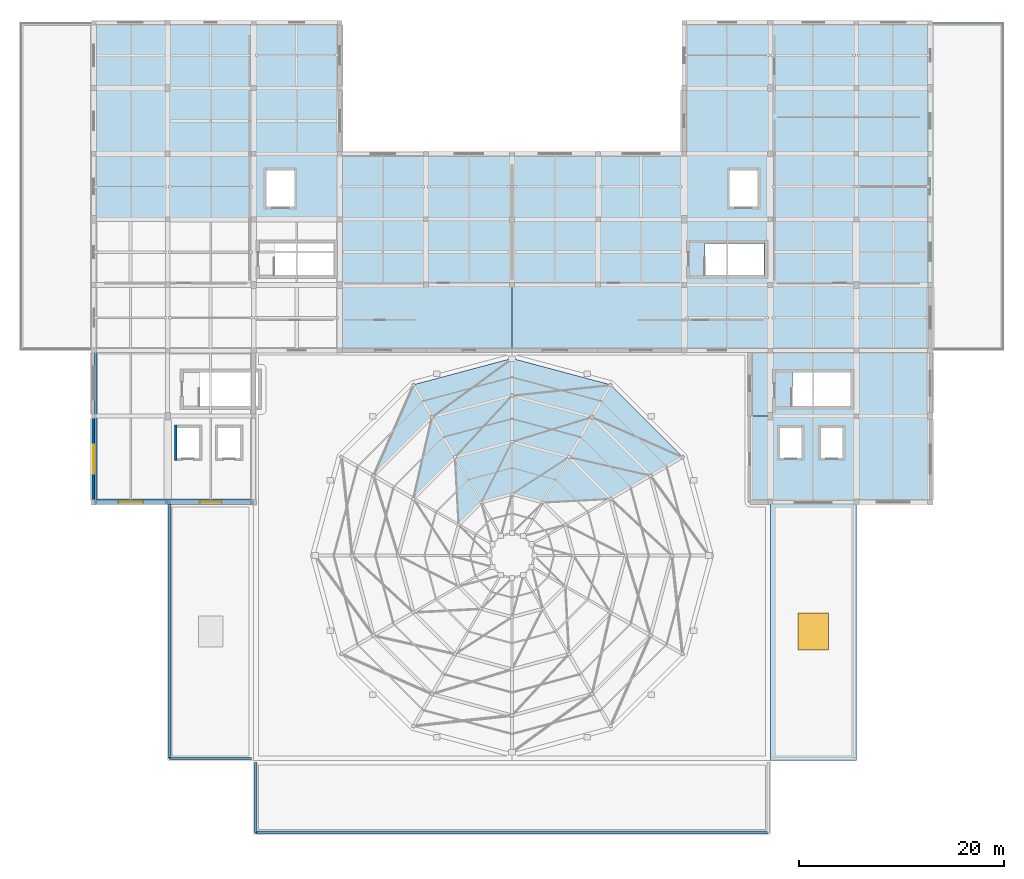
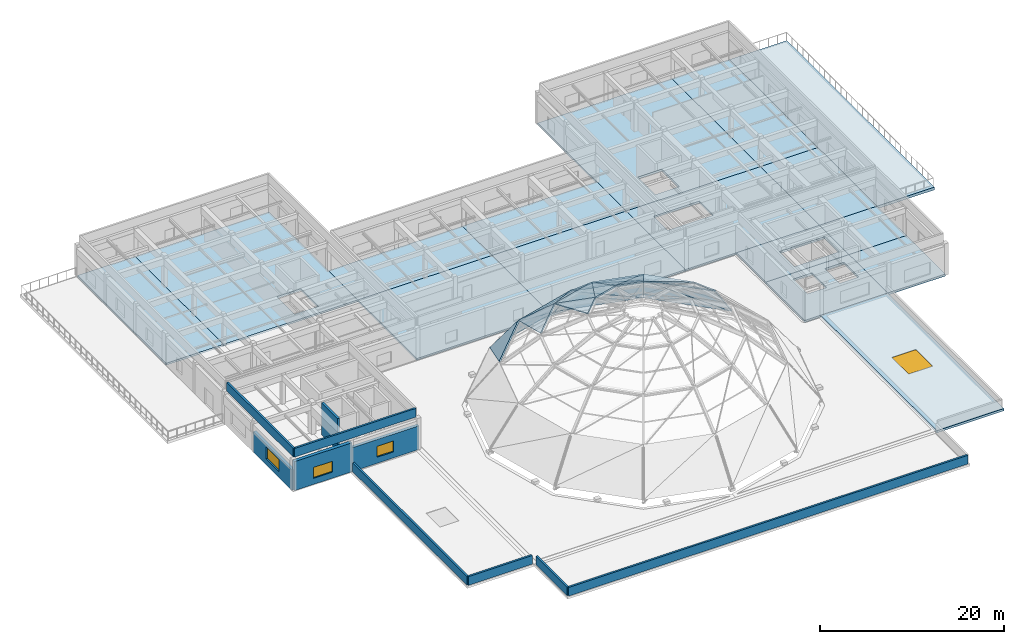
# One storey, part 10 of 18: 36 slabs, 10 walls, 4 windows, 4 openings.
"""IFC4 building model written with IfcOpenShell, lengths in metres."""

from ifc_helpers import new_model, si_unit, direction, frame, frame_2d, origin, origin_2d, place, context, subcontext, project, spatial, polyline, rectangle, outline, extrude, material, layer, layer_set, type_object, element, fill, save


model = new_model("IFC4")

# Units and contexts
model_context = context("Model", 3, precision=1e-05, world=origin(), true_north=direction((0.0, 1.0)))
body_context = subcontext(model_context, "Body", "Model", "MODEL_VIEW")
ifc_project = project(units=[si_unit("LENGTHUNIT", "METRE"), si_unit("AREAUNIT", "SQUARE_METRE"), si_unit("VOLUMEUNIT", "CUBIC_METRE"), si_unit("PLANEANGLEUNIT", "RADIAN"), si_unit("MASSUNIT", "GRAM", prefix="KILO")], contexts=[model_context])

# Site, building, storey
site_placement = place(None, origin())
site = spatial("IfcSite", under=ifc_project, at=site_placement, CompositionType="ELEMENT")
building_placement = place(site_placement, origin())
building = spatial("IfcBuilding", under=site, at=building_placement, Name="Korsvaeld Concert Hall", CompositionType="ELEMENT")
storey_placement = place(building_placement, frame((0.0, 0.0, 17.39990234375)))
storey = spatial("IfcBuildingStorey", under=building, at=storey_placement, Name="L04", CompositionType="ELEMENT", Elevation=17.39990234375)

# Slabs
ifc_material_1 = material(Name="Precast concrete C40/50", Category="concrete")
ifc_layer_1 = layer(ifc_material_1, 0.159912109375)
ifc_layer_set_1 = layer_set([ifc_layer_1], Name="Precast concrete C40/50")
slab_type_1 = type_object("IfcSlabType", Name="SLB-DOME-160", PredefinedType="ROOF", material=ifc_layer_set_1)
slab_1_placement = place(storey_placement, frame((100.662353515625, 72.820068359375, 0.989990234375), z_axis=(0.574666971576, 0.574666971576, 0.58267979505), x_axis=(-0.707106781187, 0.707106781187, 0.0)))
element("IfcSlab", 1, at=slab_1_placement, inside=storey, type_object=slab_type_1, Name="Main Hall dome copper roof facet T1.B02A", PredefinedType="ROOF", context=body_context, shape_type="SweptSolid", body=[
    extrude(outline(polyline([(0.0, 0.0), (9.95922612467088, 0.0), (9.027523171042024, 5.96786854261955), (0.0, 0.0)])), origin(), (0.0, 0.0, -1.0), 0.159912109375),
])
slab_2_placement = place(storey_placement, frame((100.662353515625, 72.820068359375, 0.989990234375), z_axis=(0.574666971576, 0.574666971576, 0.58267979505), x_axis=(-0.817079857398, 0.36265278888, 0.448177934924)))
element("IfcSlab", 2, at=slab_2_placement, inside=storey, type_object=slab_type_1, Name="Main Hall dome copper roof facet T1.B02B", PredefinedType="ROOF", context=body_context, shape_type="SweptSolid", body=[
    extrude(outline(polyline([(0.0, 0.0), (10.821812673747806, 0.0), (4.068304106871366, 4.464574675128898), (0.0, 0.0)])), origin(), (0.0, 0.0, -1.0), 0.159912109375),
])
slab_3_placement = place(storey_placement, frame((97.544677734375, 71.02001953125, 5.840087890625), z_axis=(0.465400829153, 0.465400829153, 0.752863956135), x_axis=(-0.707106781187, 0.707106781187, 0.0)))
element("IfcSlab", 3, at=slab_3_placement, inside=storey, type_object=slab_type_1, Name="Main Hall dome copper roof facet T2.B02A", PredefinedType="ROOF", context=body_context, shape_type="SweptSolid", body=[
    extrude(outline(polyline([(0.0, 0.0), (8.095820217413168, 0.0), (6.931062050258471, 5.773604443501931), (0.0, 0.0)])), origin(), (0.0, 0.0, -1.0), 0.159912109375),
])
slab_4_placement = place(storey_placement, frame((97.544677734375, 71.02001953125, 5.840087890625), z_axis=(0.465400829153, 0.465400829153, 0.752863956135), x_axis=(-0.884028448999, 0.202576320743, 0.421255902788)))
element("IfcSlab", 4, at=slab_4_placement, inside=storey, type_object=slab_type_1, Name="Main Hall dome copper roof facet T2.B02B", PredefinedType="ROOF", context=body_context, shape_type="SweptSolid", body=[
    extrude(outline(polyline([(0.0, 0.0), (9.020761021918185, 4.440892098500626e-16), (4.590246798414225, 3.690637368751741), (0.0, 0.0)])), origin(), (0.0, 0.0, -1.0), 0.159912109375),
])
slab_5_placement = place(storey_placement, frame((93.6474609375, 68.77001953125, 9.64013671875), z_axis=(0.330045122627, 0.330045122627, 0.88438703861), x_axis=(-0.707106781187, 0.707106781187, 0.0)))
element("IfcSlab", 5, at=slab_5_placement, inside=storey, type_object=slab_type_1, Name="Main Hall dome copper roof facet T3.B02A", PredefinedType="ROOF", context=body_context, shape_type="SweptSolid", body=[
    extrude(outline(polyline([(0.0, 0.0), (5.766303883103775, 0.0), (4.4465208405815195, 5.570068832889013), (0.0, 0.0)])), origin(), (0.0, 0.0, -1.0), 0.159912109375),
])
slab_6_placement = place(storey_placement, frame((93.6201171875, 79.8623046875, 0.989990234375), z_axis=(0.210340956999, 0.785023211742, 0.582662199594), x_axis=(-0.965927480795, 0.258812870324, 0.0)))
element("IfcSlab", 6, at=slab_6_placement, inside=storey, type_object=slab_type_1, Name="Main Hall dome copper roof facet T1.B03A", PredefinedType="ROOF", context=body_context, shape_type="SweptSolid", body=[
    extrude(outline(polyline([(0.0, 0.0), (9.959461117705175, -2.220446049250313e-16), (9.027772696581607, 5.967775908583004), (0.0, 0.0)])), origin(), (0.0, 0.0, -1.0), 0.159912109375),
])
slab_7_placement = place(storey_placement, frame((93.6201171875, 79.8623046875, 0.989990234375), z_axis=(0.210350368921, 0.785009048923, 0.582677883057), x_axis=(-0.888943271364, -0.094457554492, 0.448171430031)))
element("IfcSlab", 7, at=slab_7_placement, inside=storey, type_object=slab_type_1, Name="Main Hall dome copper roof facet T1.B03B", PredefinedType="ROOF", context=body_context, shape_type="SweptSolid", body=[
    extrude(outline(polyline([(0.0, 0.0), (10.821969744746474, 4.440892098500626e-16), (4.068304526273821, 4.464574292952092), (0.0, 0.0)])), origin(), (0.0, 0.0, -1.0), 0.159912109375),
])
slab_8_placement = place(storey_placement, frame((91.820068359375, 76.74462890625, 5.840087890625), z_axis=(0.170356291919, 0.635754676272, 0.752857705946), x_axis=(-0.965923418169, 0.258828032161, 0.0)))
element("IfcSlab", 8, at=slab_8_placement, inside=storey, type_object=slab_type_1, Name="Main Hall dome copper roof facet T2.B03A", PredefinedType="ROOF", context=body_context, shape_type="SweptSolid", body=[
    extrude(outline(polyline([(0.0, 0.0), (8.09595068540415, 0.0), (6.931224540680013, 5.7735417296430995), (0.0, 0.0)])), origin(), (0.0, 0.0, -1.0), 0.159912109375),
])
slab_9_placement = place(storey_placement, frame((91.820068359375, 76.74462890625, 5.840087890625), z_axis=(0.170366372525, 0.635739088839, 0.752868587493), x_axis=(-0.866888603452, -0.266553833955, 0.421251946949)))
element("IfcSlab", 9, at=slab_9_placement, inside=storey, type_object=slab_type_1, Name="Main Hall dome copper roof facet T2.B03B", PredefinedType="ROOF", context=body_context, shape_type="SweptSolid", body=[
    extrude(outline(polyline([(0.0, 0.0), (9.020845732926325, -2.220446049250313e-16), (4.590095404077423, 3.690825658229625), (0.0, 0.0)])), origin(), (0.0, 0.0, -1.0), 0.159912109375),
])
slab_10_placement = place(storey_placement, frame((89.570068359375, 72.847412109375, 9.64013671875), z_axis=(0.120815085079, 0.450833524055, 0.884394057423), x_axis=(-0.965918002243, 0.258848243073, 0.0)))
element("IfcSlab", 10, at=slab_10_placement, inside=storey, type_object=slab_type_1, Name="Main Hall dome copper roof facet T3.B03A", PredefinedType="ROOF", context=body_context, shape_type="SweptSolid", body=[
    extrude(outline(polyline([(0.0, 0.0), (5.766605805501257, 2.220446049250313e-16), (4.446454487678948, 5.570227545087046), (0.0, 0.0)])), origin(), (0.0, 0.0, -1.0), 0.159912109375),
])
slab_11_placement = place(storey_placement, frame((89.570068359375, 72.847412109375, 9.64013671875), z_axis=(0.120789379571, 0.450864401113, 0.884381827941), x_axis=(-0.781511801839, -0.506141502694, 0.36477401612)))
element("IfcSlab", 11, at=slab_11_placement, inside=storey, type_object=slab_type_1, Name="Main Hall dome copper roof facet T3.B03B", PredefinedType="ROOF", context=body_context, shape_type="SweptSolid", body=[
    extrude(outline(polyline([(0.0, 0.0), (7.127299096786012, 2.220446049250313e-16), (5.176628186429675, 2.443361353118421), (0.0, 0.0)])), origin(), (0.0, 0.0, -1.0), 0.159912109375),
])
slab_12_placement = place(storey_placement, frame((84.0, 82.43994140625, 0.989990234375), z_axis=(-0.210338347217, 0.785013471656, 0.582676264325), x_axis=(-0.965927480795, -0.258812870324, 0.0)))
element("IfcSlab", 12, at=slab_12_placement, inside=storey, type_object=slab_type_1, Name="Main Hall dome copper roof facet T1.B04A", PredefinedType="ROOF", context=body_context, shape_type="SweptSolid", body=[
    extrude(outline(polyline([(0.0, 0.0), (9.959461117705175, 0.0), (9.02763910553035, 5.96784995399643), (0.0, 0.0)])), origin(), (0.0, 0.0, -1.0), 0.159912109375),
])
slab_13_placement = place(storey_placement, frame((84.0, 82.43994140625, 0.989990234375), z_axis=(-0.210353579605, 0.785021030912, 0.582660580932), x_axis=(-0.722615158546, -0.526276620104, 0.448174354209)))
element("IfcSlab", 13, at=slab_13_placement, inside=storey, type_object=slab_type_1, Name="Main Hall dome copper roof facet T1.B04B", PredefinedType="ROOF", context=body_context, shape_type="SweptSolid", body=[
    extrude(outline(polyline([(0.0, 0.0), (10.821899135231119, 4.440892098500626e-16), (4.068208126015723, 4.464535278451617), (0.0, 0.0)])), origin(), (0.0, 0.0, -1.0), 0.159912109375),
])
slab_14_placement = place(storey_placement, frame((84.0, 78.840087890625, 5.840087890625), z_axis=(-0.170353611582, 0.635744673494, 0.752866759224), x_axis=(-0.965923418169, -0.258828032161, 0.0)))
element("IfcSlab", 14, at=slab_14_placement, inside=storey, type_object=slab_type_1, Name="Main Hall dome copper roof facet T2.B04A", PredefinedType="ROOF", context=body_context, shape_type="SweptSolid", body=[
    extrude(outline(polyline([(0.0, 0.0), (8.09595068540415, -2.220446049250313e-16), (6.931331948963044, 5.773632570289621), (0.0, 0.0)])), origin(), (0.0, 0.0, -1.0), 0.159912109375),
])
slab_15_placement = place(storey_placement, frame((84.0, 78.840087890625, 5.840087890625), z_axis=(-0.170370135842, 0.63575313203, 0.752855877262), x_axis=(-0.617456685101, -0.6643038261, 0.421245378198)))
element("IfcSlab", 15, at=slab_15_placement, inside=storey, type_object=slab_type_1, Name="Main Hall dome copper roof facet T2.B04B", PredefinedType="ROOF", context=body_context, shape_type="SweptSolid", body=[
    extrude(outline(polyline([(0.0, 0.0), (9.020986400800359, 0.0), (4.590120223225861, 3.6906865800914566), (0.0, 0.0)])), origin(), (0.0, 0.0, -1.0), 0.159912109375),
])
slab_16_placement = place(storey_placement, frame((84.0, 74.340087890625, 9.64013671875), z_axis=(-0.120819302378, 0.450849261327, 0.884385458798), x_axis=(-0.965918002243, -0.258848243073, 0.0)))
element("IfcSlab", 16, at=slab_16_placement, inside=storey, type_object=slab_type_1, Name="Main Hall dome copper roof facet T3.B04A", PredefinedType="ROOF", context=body_context, shape_type="SweptSolid", body=[
    extrude(outline(polyline([(0.0, 0.0), (5.766605805501257, -2.220446049250313e-16), (4.446672012474575, 5.570033111614065), (0.0, 0.0)])), origin(), (0.0, 0.0, -1.0), 0.159912109375),
])
slab_17_placement = place(storey_placement, frame((84.0, 74.340087890625, 9.64013671875), z_axis=(-0.120781603156, 0.450835374484, 0.884397687386), x_axis=(-0.423726628226, -0.829092911042, 0.364774847533)))
element("IfcSlab", 17, at=slab_17_placement, inside=storey, type_object=slab_type_1, Name="Main Hall dome copper roof facet T3.B04B", PredefinedType="ROOF", context=body_context, shape_type="SweptSolid", body=[
    extrude(outline(polyline([(0.0, 0.0), (7.127282851900979, 2.220446049250313e-16), (5.176815982186747, 2.443524236133185), (0.0, 0.0)])), origin(), (0.0, 0.0, -1.0), 0.159912109375),
])
slab_18_placement = place(storey_placement, frame((74.3798828125, 79.8623046875, 0.989990234375), z_axis=(-0.574666971576, 0.574666971576, 0.58267979505), x_axis=(-0.36265278888, -0.817079857398, 0.448177934924)))
element("IfcSlab", 18, at=slab_18_placement, inside=storey, type_object=slab_type_1, Name="Main Hall dome copper roof facet T1.B05B", PredefinedType="ROOF", context=body_context, shape_type="SweptSolid", body=[
    extrude(outline(polyline([(0.0, 0.0), (10.821812673747806, 0.0), (4.068304106871366, 4.464574675128898), (0.0, 0.0)])), origin(), (0.0, 0.0, -1.0), 0.159912109375),
])
slab_19_placement = place(storey_placement, frame((76.179931640625, 76.74462890625, 5.840087890625), z_axis=(-0.465400829153, 0.465400829153, 0.752863956135), x_axis=(-0.202576320743, -0.884028448999, 0.421255902788)))
element("IfcSlab", 19, at=slab_19_placement, inside=storey, type_object=slab_type_1, Name="Main Hall dome copper roof facet T2.B05B", PredefinedType="ROOF", context=body_context, shape_type="SweptSolid", body=[
    extrude(outline(polyline([(0.0, 0.0), (9.020761021918185, 4.440892098500626e-16), (4.590246798414225, 3.690637368751741), (0.0, 0.0)])), origin(), (0.0, 0.0, -1.0), 0.159912109375),
])
slab_20_placement = place(storey_placement, frame((78.429931640625, 72.847412109375, 9.64013671875), z_axis=(-0.330067164925, 0.33003071758, 0.884384188061), x_axis=(0.047613948254, -0.929876431159, 0.36477765105)))
element("IfcSlab", 20, at=slab_20_placement, inside=storey, type_object=slab_type_1, Name="Main Hall dome copper roof facet T3.B05B", PredefinedType="ROOF", context=body_context, shape_type="SweptSolid", body=[
    extrude(outline(polyline([(0.0, 0.0), (7.127228074795642, 1.1102230246251565e-16), (5.176589241998605, 2.443443861044323), (0.0, 0.0)])), origin(), (0.0, 0.0, -1.0), 0.159912109375),
])

# Slab, opening, window
ifc_material_2 = material(Name="Concrete C35/45", Category="concrete")
ifc_layer_2 = layer(ifc_material_2, 0.300048828125)
ifc_layer_set_2 = layer_set([ifc_layer_2], Name="Concrete C35/45")
slab_type_2 = type_object("IfcSlabType", Name="SLB-FLATROOF-300", PredefinedType="ROOF", material=ifc_layer_set_2)
slab_21_placement = place(storey_placement, frame((0.0, 0.0, -0.2998046875)))
slab_21 = element("IfcSlab", 21, at=slab_21_placement, inside=storey, type_object=slab_type_2, Name="Flat acoustic roof ROOF_L04_V1E", PredefinedType="ROOF", context=body_context, shape_type="SweptSolid", body=[
    extrude(outline(polyline([(109.199951171875, 68.39990234375), (117.60009765625, 68.39990234375), (117.60009765625, 43.199951171875), (109.199951171875, 43.199951171875), (109.199951171875, 68.39990234375)])), origin(), (0.0, 0.0, 1.0), 0.2998046875),
])
opening_1_placement = place(slab_21_placement, frame((113.39990234375, 55.800048828125, -0.010009765625)))
opening_1 = element("IfcOpeningElement", 22, at=opening_1_placement, cuts=slab_21, Name="Opening SK-04", PredefinedType="OPENING", context=body_context, shape_type="SweptSolid", body=[
    extrude(rectangle(XDim=3.0, YDim=3.60009765625, at=origin_2d()), origin(), (0.0, 0.0, 1.0), 0.31982421875),
])
ifc_material_3 = material(Name="Anodised bronze frame with acoustic triple glazing", Category="glass")
window_type_1 = type_object("IfcWindowType", Name="SKY-LIGHT-300x360", PartitioningType="TRIPLE_PANEL_VERTICAL", PredefinedType="SKYLIGHT", material=ifc_material_3)
window_1_placement = place(slab_21_placement, frame((113.39990234375, 55.800048828125, 0.249755859375)))
window_1 = element("IfcWindow", 23, at=window_1_placement, inside=storey, type_object=window_type_1, Name="Acoustic skylight / roof hatch SLB-ROOF_L04_V1E", OverallHeight=3.60009765625, OverallWidth=3.0, PartitioningType="SINGLE_PANEL", PredefinedType="SKYLIGHT", context=body_context, shape_type="SweptSolid", body=[
    extrude(rectangle(XDim=3.0, YDim=3.60009765625, at=origin_2d()), origin(), (0.0, 0.0, 1.0), 0.050048828125),
])
fill(opening_1, window_1)

# Slabs
ifc_layer_3 = layer(ifc_material_2, 0.280029296875)
ifc_layer_set_3 = layer_set([ifc_layer_3], Name="Concrete C35/45")
slab_type_3 = type_object("IfcSlabType", Name="SLB-FOY-280", PredefinedType="FLOOR", material=ifc_layer_set_3)
slab_22_placement = place(storey_placement, frame((0.0, 0.0, -0.27978515625)))
element("IfcSlab", 24, at=slab_22_placement, inside=storey, type_object=slab_type_3, Name="Structural slab L04 V1_K2_L04 1.1", PredefinedType="FLOOR", context=body_context, shape_type="SweptSolid", body=[
    extrude(outline(polyline([(107.199951171875, 68.39990234375), (107.199951171875, 76.800048828125), (117.60009765625, 76.800048828125), (117.60009765625, 68.39990234375), (107.199951171875, 68.39990234375)]), holes=[polyline([(112.39990234375, 75.800048828125), (110.0, 75.800048828125), (110.0, 72.60009765625), (112.39990234375, 72.60009765625), (112.39990234375, 75.800048828125)]), polyline([(116.39990234375, 75.800048828125), (114.0, 75.800048828125), (114.0, 72.60009765625), (116.39990234375, 72.60009765625), (116.39990234375, 75.800048828125)])]), origin(), (0.0, 0.0, 1.0), 0.27978515625),
])
slab_23_placement = place(storey_placement, frame((0.0, 0.0, -0.27978515625)))
element("IfcSlab", 25, at=slab_23_placement, inside=storey, type_object=slab_type_3, Name="Structural slab L04 V1_K2_L04 1.2", PredefinedType="FLOOR", context=body_context, shape_type="SweptSolid", body=[
    extrude(outline(polyline([(107.199951171875, 76.800048828125), (107.199951171875, 83.199951171875), (117.60009765625, 83.199951171875), (117.60009765625, 76.800048828125), (107.199951171875, 76.800048828125)]), holes=[polyline([(117.0048828125, 81.044921875), (111.344970703125, 81.044921875), (111.344970703125, 77.794921875), (117.0048828125, 77.794921875), (117.0048828125, 81.044921875)])]), origin(), (0.0, 0.0, 1.0), 0.27978515625),
])
slab_24_placement = place(storey_placement, frame((0.0, 0.0, -0.27978515625)))
element("IfcSlab", 26, at=slab_24_placement, inside=storey, type_object=slab_type_3, Name="Structural slab L04 V1_K2_L04 2.1", PredefinedType="FLOOR", context=body_context, shape_type="SweptSolid", body=[
    extrude(outline(polyline([(117.60009765625, 68.39990234375), (117.60009765625, 76.800048828125), (124.800048828125, 76.800048828125), (124.800048828125, 68.39990234375), (117.60009765625, 68.39990234375)])), origin(), (0.0, 0.0, 1.0), 0.27978515625),
])
slab_25_placement = place(storey_placement, frame((0.0, 0.0, -0.27978515625)))
element("IfcSlab", 27, at=slab_25_placement, inside=storey, type_object=slab_type_3, Name="Structural slab L04 V1_K2_L04 2.2", PredefinedType="FLOOR", context=body_context, shape_type="SweptSolid", body=[
    extrude(outline(polyline([(117.60009765625, 76.800048828125), (117.60009765625, 83.199951171875), (124.800048828125, 83.199951171875), (124.800048828125, 76.800048828125), (117.60009765625, 76.800048828125)])), origin(), (0.0, 0.0, 1.0), 0.27978515625),
])
ifc_layer_4 = layer(ifc_material_2, 0.360107421875)
ifc_layer_set_4 = layer_set([ifc_layer_4], Name="Concrete C35/45")
slab_type_4 = type_object("IfcSlabType", Name="SLB-TERR-360", PredefinedType="ROOF", material=ifc_layer_set_4)
slab_26_placement = place(storey_placement, frame((0.0, 0.0, -0.35986328125)))
element("IfcSlab", 28, at=slab_26_placement, inside=storey, type_object=slab_type_4, Name="Upper East Belvedere Terrace", PredefinedType="ROOF", context=body_context, shape_type="SweptSolid", body=[
    extrude(outline(polyline([(132.0, 83.199951171875), (132.0, 115.199951171875), (124.800048828125, 115.199951171875), (124.800048828125, 83.199951171875), (132.0, 83.199951171875)])), origin(), (0.0, 0.0, 1.0), 0.35986328125),
])
ifc_layer_5 = layer(ifc_material_2, 0.25)
ifc_layer_set_5 = layer_set([ifc_layer_5], Name="Concrete C35/45")
slab_type_5 = type_object("IfcSlabType", Name="SLB-WING-250", PredefinedType="FLOOR", material=ifc_layer_set_5)
slab_27_placement = place(storey_placement, frame((0.0, 0.0, -0.25)))
element("IfcSlab", 29, at=slab_27_placement, inside=storey, type_object=slab_type_5, Name="Structural slab L04 V5_L04_W 1.2", PredefinedType="FLOOR", context=body_context, shape_type="SweptSolid", body=[
    extrude(outline(polyline([(43.199951171875, 96.0), (43.199951171875, 115.199951171875), (50.39990234375, 115.199951171875), (50.39990234375, 96.0), (43.199951171875, 96.0)])), origin(), (0.0, 0.0, 1.0), 0.25),
])
slab_28_placement = place(storey_placement, frame((0.0, 0.0, -0.25)))
element("IfcSlab", 30, at=slab_28_placement, inside=storey, type_object=slab_type_5, Name="Structural slab L04 V5_L04_W 2.2", PredefinedType="FLOOR", context=body_context, shape_type="SweptSolid", body=[
    extrude(outline(polyline([(50.39990234375, 96.0), (50.39990234375, 115.199951171875), (67.199951171875, 115.199951171875), (67.199951171875, 96.0), (50.39990234375, 96.0)]), holes=[polyline([(59.89990234375, 100.89990234375), (59.89990234375, 97.10009765625), (62.89990234375, 97.10009765625), (62.89990234375, 100.89990234375), (59.89990234375, 100.89990234375)])]), origin(), (0.0, 0.0, 1.0), 0.25),
])
slab_29_placement = place(storey_placement, frame((0.0, 0.0, -0.25)))
element("IfcSlab", 31, at=slab_29_placement, inside=storey, type_object=slab_type_5, Name="Structural slab L04 V5_L04_C 1.1", PredefinedType="FLOOR", context=body_context, shape_type="SweptSolid", body=[
    extrude(outline(polyline([(67.199951171875, 83.199951171875), (67.199951171875, 96.0), (84.0, 96.0), (84.0, 83.199951171875), (67.199951171875, 83.199951171875)])), origin(), (0.0, 0.0, 1.0), 0.25),
])
slab_30_placement = place(storey_placement, frame((0.0, 0.0, -0.25)))
element("IfcSlab", 32, at=slab_30_placement, inside=storey, type_object=slab_type_5, Name="Structural slab L04 V5_L04_C 1.2", PredefinedType="FLOOR", context=body_context, shape_type="SweptSolid", body=[
    extrude(outline(polyline([(67.199951171875, 96.0), (67.199951171875, 102.39990234375), (84.0, 102.39990234375), (84.0, 96.0), (67.199951171875, 96.0)])), origin(), (0.0, 0.0, 1.0), 0.25),
])
slab_31_placement = place(storey_placement, frame((0.0, 0.0, -0.25)))
element("IfcSlab", 33, at=slab_31_placement, inside=storey, type_object=slab_type_5, Name="Structural slab L04 V5_L04_C 2.1", PredefinedType="FLOOR", context=body_context, shape_type="SweptSolid", body=[
    extrude(outline(polyline([(84.0, 83.199951171875), (84.0, 96.0), (100.800048828125, 96.0), (100.800048828125, 83.199951171875), (84.0, 83.199951171875)])), origin(), (0.0, 0.0, 1.0), 0.25),
])
slab_32_placement = place(storey_placement, frame((0.0, 0.0, -0.25)))
element("IfcSlab", 34, at=slab_32_placement, inside=storey, type_object=slab_type_5, Name="Structural slab L04 V5_L04_C 2.2", PredefinedType="FLOOR", context=body_context, shape_type="SweptSolid", body=[
    extrude(outline(polyline([(84.0, 96.0), (84.0, 102.39990234375), (100.800048828125, 102.39990234375), (100.800048828125, 96.0), (84.0, 96.0)])), origin(), (0.0, 0.0, 1.0), 0.25),
])
slab_33_placement = place(storey_placement, frame((0.0, 0.0, -0.25)))
element("IfcSlab", 35, at=slab_33_placement, inside=storey, type_object=slab_type_5, Name="Structural slab L04 V5_L04_E 1.1", PredefinedType="FLOOR", context=body_context, shape_type="SweptSolid", body=[
    extrude(outline(polyline([(100.800048828125, 83.199951171875), (100.800048828125, 96.0), (117.60009765625, 96.0), (117.60009765625, 83.199951171875), (100.800048828125, 83.199951171875)]), holes=[polyline([(108.60498046875, 90.594970703125), (108.60498046875, 93.64501953125), (102.844970703125, 93.64501953125), (102.844970703125, 90.594970703125), (108.60498046875, 90.594970703125)])]), origin(), (0.0, 0.0, 1.0), 0.25),
])
slab_34_placement = place(storey_placement, frame((0.0, 0.0, -0.25)))
element("IfcSlab", 36, at=slab_34_placement, inside=storey, type_object=slab_type_5, Name="Structural slab L04 V5_L04_E 1.2", PredefinedType="FLOOR", context=body_context, shape_type="SweptSolid", body=[
    extrude(outline(polyline([(100.800048828125, 96.0), (100.800048828125, 115.199951171875), (117.60009765625, 115.199951171875), (117.60009765625, 96.0), (100.800048828125, 96.0)]), holes=[polyline([(108.10009765625, 100.89990234375), (105.10009765625, 100.89990234375), (105.10009765625, 97.10009765625), (108.10009765625, 97.10009765625), (108.10009765625, 100.89990234375)])]), origin(), (0.0, 0.0, 1.0), 0.25),
])
slab_35_placement = place(storey_placement, frame((0.0, 0.0, -0.25)))
element("IfcSlab", 37, at=slab_35_placement, inside=storey, type_object=slab_type_5, Name="Structural slab L04 V5_L04_E 2.1", PredefinedType="FLOOR", context=body_context, shape_type="SweptSolid", body=[
    extrude(outline(polyline([(117.60009765625, 83.199951171875), (117.60009765625, 96.0), (124.800048828125, 96.0), (124.800048828125, 83.199951171875), (117.60009765625, 83.199951171875)])), origin(), (0.0, 0.0, 1.0), 0.25),
])
slab_36_placement = place(storey_placement, frame((0.0, 0.0, -0.25)))
element("IfcSlab", 38, at=slab_36_placement, inside=storey, type_object=slab_type_5, Name="Structural slab L04 V5_L04_E 2.2", PredefinedType="FLOOR", context=body_context, shape_type="SweptSolid", body=[
    extrude(outline(polyline([(117.60009765625, 96.0), (117.60009765625, 115.199951171875), (124.800048828125, 115.199951171875), (124.800048828125, 96.0), (117.60009765625, 96.0)])), origin(), (0.0, 0.0, 1.0), 0.25),
])

# Wall, opening, window
ifc_material_4 = material(Name="Obernkirchener buff sandstone rainscreen on Concrete C35/45", Category="masonry")
ifc_layer_6 = layer(ifc_material_4, 0.389892578125)
ifc_layer_set_6 = layer_set([ifc_layer_6], Name="Obernkirchener buff sandstone rainscreen on Concrete C35/45")
wall_type_1 = type_object("IfcWallType", Name="WL-EXT-BUFF-390", PredefinedType="STANDARD", material=ifc_layer_set_6)
wall_1_placement = place(storey_placement, frame((58.800048828125, 68.39990234375, 0.0), z_axis=(0.0, 0.0, 1.0), x_axis=(-1.0, 0.0, 0.0)))
wall_1 = element("IfcWall", 39, at=wall_1_placement, inside=storey, type_object=wall_type_1, Name="Exterior sandstone wall L04-372", PredefinedType="STANDARD", context=body_context, shape_type="SweptSolid", body=[
    extrude(rectangle(XDim=8.400146484375, YDim=0.389892578125, at=frame_2d((4.2001953125, 0.0))), origin(), (0.0, 0.0, 1.0), 3.14013671875),
])
opening_2_placement = place(wall_1_placement, frame((3.14990234375, 0.0, 0.800048828125)))
opening_2 = element("IfcOpeningElement", 40, at=opening_2_placement, cuts=wall_1, Name="Opening WN-09", PredefinedType="OPENING", context=body_context, shape_type="SweptSolid", body=[
    extrude(rectangle(XDim=2.10009765625, YDim=1.449951171875, at=frame_2d((1.050048828125, 0.72509765625))), frame((0.0, 0.205078125, 0.0), z_axis=(0.0, -1.0, 0.0), x_axis=(1.0, 0.0, 0.0)), (0.0, 0.0, 1.0), 0.409912109375),
])
window_type_2 = type_object("IfcWindowType", Name="WIN-AC-210x145", PartitioningType="SINGLE_PANEL", PredefinedType="WINDOW", material=ifc_material_3)
window_2_placement = place(opening_2_placement, origin())
window_2 = element("IfcWindow", 41, at=window_2_placement, inside=storey, type_object=window_type_2, Name="Acoustic triple-glazed window L04-256", OverallHeight=1.449951171875, OverallWidth=2.10009765625, PartitioningType="SINGLE_PANEL", PredefinedType="WINDOW", context=body_context, shape_type="SweptSolid", body=[
    extrude(rectangle(XDim=2.10009765625, YDim=1.449951171875, at=frame_2d((1.050048828125, 0.72509765625))), frame((0.0, 0.030029296875, 0.0), z_axis=(0.0, -1.0, 0.0), x_axis=(1.0, 0.0, 0.0)), (0.0, 0.0, 1.0), 0.06005859375),
])
fill(opening_2, window_2)

wall_2_placement = place(storey_placement, frame((43.199951171875, 68.39990234375, 0.0), z_axis=(0.0, 0.0, 1.0), x_axis=(0.0, 1.0, 0.0)))
wall_2 = element("IfcWall", 42, at=wall_2_placement, inside=storey, type_object=wall_type_1, Name="Exterior sandstone wall L04-374", PredefinedType="STANDARD", context=body_context, shape_type="SweptSolid", body=[
    extrude(rectangle(XDim=8.400146484375, YDim=0.389892578125, at=frame_2d((4.2001953125, 0.0))), origin(), (0.0, 0.0, 1.0), 2.690185546875),
])
opening_3_placement = place(wall_2_placement, frame((2.800048828125, 0.0, 0.800048828125)))
opening_3 = element("IfcOpeningElement", 43, at=opening_3_placement, cuts=wall_2, Name="Opening WN-14", PredefinedType="OPENING", context=body_context, shape_type="SweptSolid", body=[
    extrude(rectangle(XDim=2.800048828125, YDim=1.60009765625, at=frame_2d((1.39990234375, 0.800048828125))), frame((0.0, 0.205078125, 0.0), z_axis=(0.0, -1.0, 0.0), x_axis=(1.0, 0.0, 0.0)), (0.0, 0.0, 1.0), 0.409912109375),
])
window_type_3 = type_object("IfcWindowType", Name="WIN-AC-280x160", PartitioningType="TRIPLE_PANEL_VERTICAL", PredefinedType="WINDOW", material=ifc_material_3)
window_3_placement = place(opening_3_placement, origin())
window_3 = element("IfcWindow", 44, at=window_3_placement, inside=storey, type_object=window_type_3, Name="Acoustic triple-glazed window L04-258", OverallHeight=1.60009765625, OverallWidth=2.800048828125, PartitioningType="TRIPLE_PANEL_VERTICAL", PredefinedType="WINDOW", context=body_context, shape_type="SweptSolid", body=[
    extrude(rectangle(XDim=2.800048828125, YDim=1.60009765625, at=frame_2d((1.39990234375, 0.800048828125))), frame((0.0, 0.030029296875, 0.0), z_axis=(0.0, -1.0, 0.0), x_axis=(1.0, 0.0, 0.0)), (0.0, 0.0, 1.0), 0.06005859375),
])
fill(opening_3, window_3)

ifc_material_5 = material(Name="Bornholm Nexo rose-red sandstone rainscreen on Concrete C35/45", Category="masonry")
ifc_layer_7 = layer(ifc_material_5, 0.419921875)
ifc_layer_set_7 = layer_set([ifc_layer_7], Name="Bornholm Nexo rose-red sandstone rainscreen on Concrete C35/45")
wall_type_2 = type_object("IfcWallType", Name="WL-EXT-NEXO-420", PredefinedType="STANDARD", material=ifc_layer_set_7)
wall_3_placement = place(storey_placement, frame((50.39990234375, 68.39990234375, 0.0), z_axis=(0.0, 0.0, 1.0), x_axis=(-1.0, 0.0, 0.0)))
wall_3 = element("IfcWall", 45, at=wall_3_placement, inside=storey, type_object=wall_type_2, Name="Exterior sandstone wall L04-373", PredefinedType="STANDARD", context=body_context, shape_type="SweptSolid", body=[
    extrude(rectangle(XDim=7.199951171875, YDim=0.419921875, at=frame_2d((3.60009765625, 0.0))), origin(), (0.0, 0.0, 1.0), 3.840087890625),
])
opening_4_placement = place(wall_3_placement, frame((2.39990234375, 0.0, 0.800048828125)))
opening_4 = element("IfcOpeningElement", 46, at=opening_4_placement, cuts=wall_3, Name="Opening WN-10", PredefinedType="OPENING", context=body_context, shape_type="SweptSolid", body=[
    extrude(rectangle(XDim=2.39990234375, YDim=1.449951171875, at=frame_2d((1.199951171875, 0.72509765625))), frame((0.0, 0.219970703125, 0.0), z_axis=(0.0, -1.0, 0.0), x_axis=(1.0, 0.0, 0.0)), (0.0, 0.0, 1.0), 0.43994140625),
])
window_type_4 = type_object("IfcWindowType", Name="WIN-AC-240x145", PartitioningType="TRIPLE_PANEL_VERTICAL", PredefinedType="WINDOW", material=ifc_material_3)
window_4_placement = place(opening_4_placement, origin())
window_4 = element("IfcWindow", 47, at=window_4_placement, inside=storey, type_object=window_type_4, Name="Acoustic triple-glazed window L04-257", OverallHeight=1.449951171875, OverallWidth=2.39990234375, PartitioningType="TRIPLE_PANEL_VERTICAL", PredefinedType="WINDOW", context=body_context, shape_type="SweptSolid", body=[
    extrude(rectangle(XDim=2.39990234375, YDim=1.449951171875, at=frame_2d((1.199951171875, 0.72509765625))), frame((0.0, 0.030029296875, 0.0), z_axis=(0.0, -1.0, 0.0), x_axis=(1.0, 0.0, 0.0)), (0.0, 0.0, 1.0), 0.06005859375),
])
fill(opening_4, window_4)

# Walls
ifc_material_6 = material(Name="Bornholm Nexo sandstone parapet on Concrete C35/45", Category="masonry")
ifc_layer_8 = layer(ifc_material_6, 0.239990234375)
ifc_layer_set_8 = layer_set([ifc_layer_8], Name="Bornholm Nexo sandstone parapet on Concrete C35/45")
wall_type_3 = type_object("IfcWallType", Name="WL-PARAPET-240", PredefinedType="PARAPET", material=ifc_layer_set_8)
wall_4_placement = place(storey_placement, frame((50.60009765625, 43.39990234375, 0.0), z_axis=(0.0, 0.0, 1.0), x_axis=(1.0, 0.0, 0.0)))
element("IfcWall", 48, at=wall_4_placement, inside=storey, type_object=wall_type_3, Name="Roof parapet SLB-ROOF_L04_V1W-1", PredefinedType="PARAPET", context=body_context, shape_type="SweptSolid", body=[
    extrude(rectangle(XDim=8.0, YDim=0.239990234375, at=frame_2d((4.0, 0.0))), origin(), (0.0, 0.0, 1.0), 1.150146484375),
])
wall_5_placement = place(storey_placement, frame((50.60009765625, 68.199951171875, 0.0), z_axis=(0.0, 0.0, 1.0), x_axis=(0.0, -1.0, 0.0)))
element("IfcWall", 49, at=wall_5_placement, inside=storey, type_object=wall_type_3, Name="Roof parapet SLB-ROOF_L04_V1W-4", PredefinedType="PARAPET", context=body_context, shape_type="SweptSolid", body=[
    extrude(rectangle(XDim=24.800048828125, YDim=0.239990234375, at=frame_2d((12.39990234375, 0.0))), origin(), (0.0, 0.0, 1.0), 1.150146484375),
])
wall_6_placement = place(storey_placement, frame((43.39990234375, 68.60009765625, 4.2001953125), z_axis=(0.0, 0.0, 1.0), x_axis=(1.0, 0.0, 0.0)))
element("IfcWall", 50, at=wall_6_placement, inside=storey, type_object=wall_type_3, Name="Roof parapet SLB-ROOF_TOP_K1-1", PredefinedType="PARAPET", context=body_context, shape_type="SweptSolid", body=[
    extrude(rectangle(XDim=15.2001953125, YDim=0.239990234375, at=frame_2d((7.60009765625, 0.0))), origin(), (0.0, 0.0, 1.0), 1.14990234375),
])
wall_7_placement = place(storey_placement, frame((43.39990234375, 83.0, 4.2001953125), z_axis=(0.0, 0.0, 1.0), x_axis=(0.0, -1.0, 0.0)))
element("IfcWall", 51, at=wall_7_placement, inside=storey, type_object=wall_type_3, Name="Roof parapet SLB-ROOF_TOP_K1-4", PredefinedType="PARAPET", context=body_context, shape_type="SweptSolid", body=[
    extrude(rectangle(XDim=14.39990234375, YDim=0.239990234375, at=frame_2d((7.199951171875, 0.0))), origin(), (0.0, 0.0, 1.0), 1.14990234375),
])
wall_8_placement = place(storey_placement, frame((59.0, 36.199951171875, 0.0), z_axis=(0.0, 0.0, 1.0), x_axis=(1.0, 0.0, 0.0)))
element("IfcWall", 52, at=wall_8_placement, inside=storey, type_object=wall_type_3, Name="Roof parapet SLB-ROOF_L04_BELV-1", PredefinedType="PARAPET", context=body_context, shape_type="SweptSolid", body=[
    extrude(rectangle(XDim=50.0, YDim=0.239990234375, at=frame_2d((25.0, 0.0))), origin(), (0.0, 0.0, 1.0), 1.150146484375),
])
wall_9_placement = place(storey_placement, frame((59.0, 43.0, 0.0), z_axis=(0.0, 0.0, 1.0), x_axis=(0.0, -1.0, 0.0)))
element("IfcWall", 53, at=wall_9_placement, inside=storey, type_object=wall_type_3, Name="Roof parapet SLB-ROOF_L04_BELV-4", PredefinedType="PARAPET", context=body_context, shape_type="SweptSolid", body=[
    extrude(rectangle(XDim=6.800048828125, YDim=0.239990234375, at=frame_2d((3.39990234375, 0.0))), origin(), (0.0, 0.0, 1.0), 1.150146484375),
])
ifc_material_7 = material(Name="Concrete C40/50", Category="concrete")
ifc_layer_9 = layer(ifc_material_7, 0.280029296875)
ifc_layer_set_9 = layer_set([ifc_layer_9], Name="Concrete C40/50")
wall_type_4 = type_object("IfcWallType", Name="WL-SHAFT-280", PredefinedType="SHEAR", material=ifc_layer_set_9)
wall_10_placement = place(storey_placement, frame((51.199951171875, 75.93994140625, 0.0), z_axis=(0.0, 0.0, 1.0), x_axis=(0.0, -1.0, 0.0)))
element("IfcWall", 54, at=wall_10_placement, inside=storey, type_object=wall_type_4, Name="Lift LP-01 shaft wall L04 W", PredefinedType="SHEAR", context=body_context, shape_type="SweptSolid", body=[
    extrude(rectangle(XDim=3.47998046875, YDim=0.280029296875, at=frame_2d((1.739990234375, 0.0))), origin(), (0.0, 0.0, 1.0), 4.2001953125),
])

save(model, "model.ifc")
